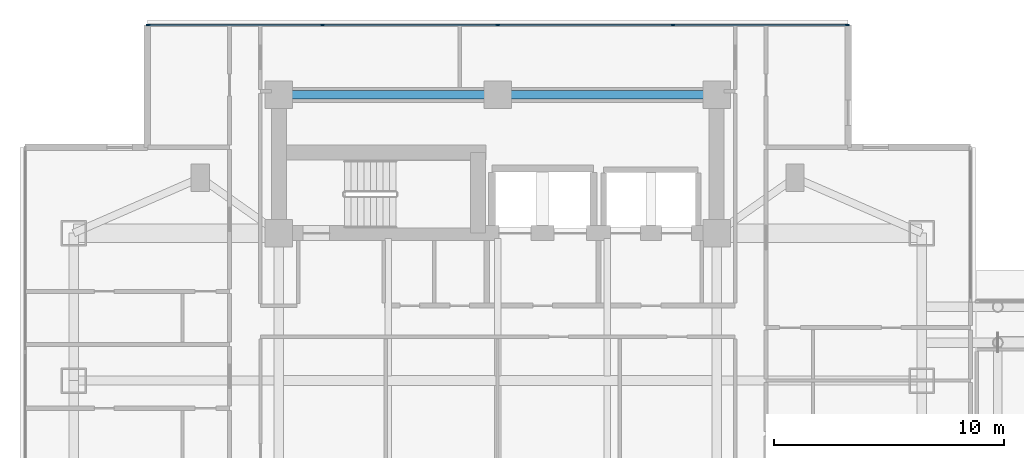
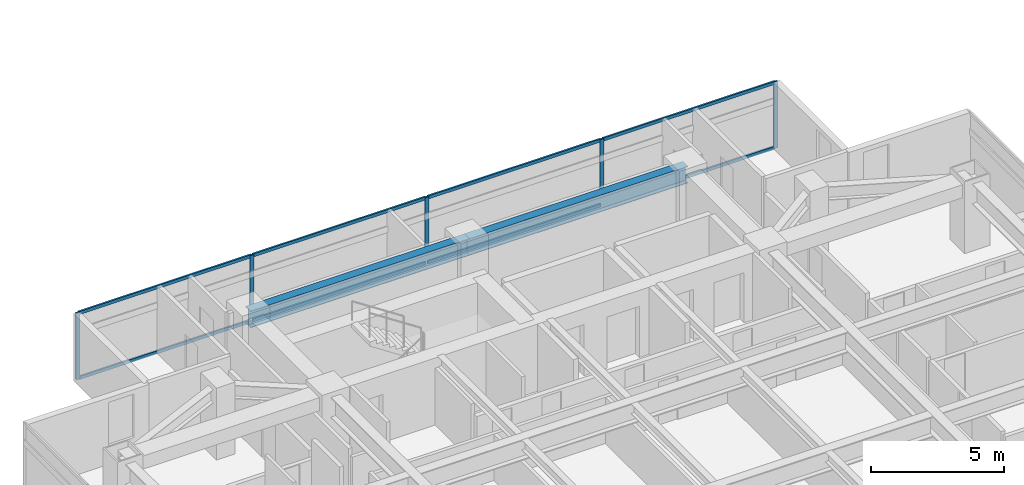
# One storey, part 7 of 28: 13 members, 2 beams, 1 element without a shape of its own.
"""IFC4 building model written with IfcOpenShell, lengths in metres."""

from ifc_helpers import new_model, si_unit, direction, frame, origin, origin_2d, place, context, subcontext, project, spatial, rectangle, i_section, extrude, material, material_profile, profile_set, type_object, element, aggregate, save


model = new_model("IFC4")

# Units and contexts
model_context = context("Model", 3, precision=1e-05, world=origin(), true_north=direction((0.0, 1.0)))
body_context = subcontext(model_context, "Body", "Model", "MODEL_VIEW")
ifc_project = project(units=[si_unit("LENGTHUNIT", "METRE"), si_unit("AREAUNIT", "SQUARE_METRE"), si_unit("VOLUMEUNIT", "CUBIC_METRE"), si_unit("PLANEANGLEUNIT", "RADIAN"), si_unit("MASSUNIT", "GRAM", prefix="KILO")], contexts=[model_context])

# Site, building, storey
site_placement = place(None, origin())
site = spatial("IfcSite", under=ifc_project, at=site_placement, CompositionType="ELEMENT")
building_placement = place(site_placement, origin())
building = spatial("IfcBuilding", under=site, at=building_placement, Name="Mirazonda Arch Towers", CompositionType="ELEMENT")
storey_placement = place(building_placement, frame((0.0, 0.0, 91.699951171875)))
storey = spatial("IfcBuildingStorey", under=building, at=storey_placement, Name="L25", CompositionType="ELEMENT", Elevation=91.699951171875)

# Beams
ifc_material_1 = material(Name="Steel ASTM A992 Grade 50", Category="steel")
ifc_material_profile_1 = material_profile(ifc_material_1, i_section(OverallWidth=0.381103515625, OverallDepth=0.77294921875, WebThickness=0.0166015625, FlangeThickness=0.027099609375, at=origin_2d()), Name="W30X173")
ifc_profile_set_1 = profile_set([ifc_material_profile_1], Name="Steel ASTM A992 Grade 50")
beam_type = type_object("IfcBeamType", Name="BM-INT-W30X173", PredefinedType="USERDEFINED", material=ifc_profile_set_1)
for number, where, z_axis, x_axis, name in (
    (1, (11.0, 43.60009765625, 2.693603515625), (1.0, 0.0, 0.0), (0.0, 1.0, 0.0), "L25 Floor Beam BM-T1-L25-CN1"),
    (2, (20.5, 43.60009765625, 2.693603515625), (1.0, 0.0, 0.0), (0.0, 1.0, 0.0), "L25 Floor Beam BM-T1-L25-CN2"),
):
    element("IfcBeam", number, at=place(storey_placement, frame(where, z_axis=z_axis, x_axis=x_axis)), inside=storey, type_object=beam_type, Name=name, ObjectType="GIRDER", PredefinedType="USERDEFINED", context=body_context, shape_type="SweptSolid", body=[
        extrude(i_section(OverallWidth=0.381103515625, OverallDepth=0.77294921875, WebThickness=0.0166015625, FlangeThickness=0.027099609375, at=origin_2d()), origin(), (0.0, 0.0, 1.0), 9.5),
    ])

# Curtain wall, members
ifc_material_2 = material(Name="Anodised Aluminium and Low-E Glass", Category="aluminium")
curtain_wall_type = type_object("IfcCurtainWallType", Name="CW-HTL-UNIT", PredefinedType="NOTDEFINED", material=ifc_material_2)
curtain_wall_placement = place(storey_placement, origin())
curtain_wall = element("IfcCurtainWall", 3, at=curtain_wall_placement, inside=storey, type_object=curtain_wall_type, Name="L25 T1 N Facade CW-L25-T1-N", PredefinedType="NOTDEFINED")
ifc_material_3 = material(Name="Anodised Aluminium Alloy", Category="aluminium")
ifc_material_profile_2 = material_profile(ifc_material_3, rectangle(XDim=0.074951171875, YDim=0.1650390625, at=origin_2d()), Name="ALU-MULL-75x165")
ifc_profile_set_2 = profile_set([ifc_material_profile_2], Name="Anodised Aluminium Alloy")
member_type_1 = type_object("IfcMemberType", Name="MULL-CW-HTL-UNIT", PredefinedType="MULLION", material=ifc_profile_set_2)
member_1_placement = place(storey_placement, frame((5.33251953125, 46.6279296875, 0.0), z_axis=(0.0, 0.0, 1.0), x_axis=(0.0, 1.0, 0.0)))
member_1 = element("IfcMember", 4, at=member_1_placement, type_object=member_type_1, Name="CW-112 mullion 1", PredefinedType="MULLION", context=body_context, shape_type="SweptSolid", body=[
    extrude(rectangle(XDim=0.074951171875, YDim=0.1650390625, at=origin_2d()), origin(), (0.0, 0.0, 1.0), 3.06005859375),
])
member_2_placement = place(storey_placement, frame((12.8974609375, 46.6279296875, 0.0), z_axis=(0.0, 0.0, 1.0), x_axis=(0.0, 1.0, 0.0)))
member_2 = element("IfcMember", 5, at=member_2_placement, type_object=member_type_1, Name="CW-112 mullion 2", PredefinedType="MULLION", context=body_context, shape_type="SweptSolid", body=[
    extrude(rectangle(XDim=0.074951171875, YDim=0.1650390625, at=origin_2d()), origin(), (0.0, 0.0, 1.0), 3.06005859375),
])
member_3_placement = place(storey_placement, frame((20.5, 46.6279296875, 0.0), z_axis=(0.0, 0.0, 1.0), x_axis=(0.0, 1.0, 0.0)))
member_3 = element("IfcMember", 6, at=member_3_placement, type_object=member_type_1, Name="CW-112 mullion 3", PredefinedType="MULLION", context=body_context, shape_type="SweptSolid", body=[
    extrude(rectangle(XDim=0.074951171875, YDim=0.1650390625, at=origin_2d()), origin(), (0.0, 0.0, 1.0), 3.06005859375),
])
member_4_placement = place(storey_placement, frame((28.1025390625, 46.6279296875, 0.0), z_axis=(0.0, 0.0, 1.0), x_axis=(0.0, 1.0, 0.0)))
member_4 = element("IfcMember", 7, at=member_4_placement, type_object=member_type_1, Name="CW-112 mullion 4", PredefinedType="MULLION", context=body_context, shape_type="SweptSolid", body=[
    extrude(rectangle(XDim=0.074951171875, YDim=0.1650390625, at=origin_2d()), origin(), (0.0, 0.0, 1.0), 3.06005859375),
])
member_5_placement = place(storey_placement, frame((35.66748046875, 46.6279296875, 0.0), z_axis=(0.0, 0.0, 1.0), x_axis=(0.0, 1.0, 0.0)))
member_5 = element("IfcMember", 8, at=member_5_placement, type_object=member_type_1, Name="CW-112 mullion 5", PredefinedType="MULLION", context=body_context, shape_type="SweptSolid", body=[
    extrude(rectangle(XDim=0.074951171875, YDim=0.1650390625, at=origin_2d()), origin(), (0.0, 0.0, 1.0), 3.06005859375),
])
ifc_material_profile_3 = material_profile(ifc_material_3, rectangle(XDim=0.074951171875, YDim=0.14501953125, at=origin_2d()), Name="ALU-TRAN-75x145")
ifc_profile_set_3 = profile_set([ifc_material_profile_3], Name="Anodised Aluminium Alloy")
member_type_2 = type_object("IfcMemberType", Name="TRAN-CW-HTL-UNIT", PredefinedType="USERDEFINED", material=ifc_profile_set_3)
member_6_placement = place(storey_placement, frame((5.3701171875, 46.6279296875, 0.03759765625), z_axis=(1.0, 0.0, 0.0), x_axis=(0.0, 1.0, 0.0)))
member_6 = element("IfcMember", 9, at=member_6_placement, type_object=member_type_2, Name="CW-112 transom 1.1", ObjectType="TRANSOM", PredefinedType="USERDEFINED", context=body_context, shape_type="SweptSolid", body=[
    extrude(rectangle(XDim=0.074951171875, YDim=0.14501953125, at=origin_2d()), origin(), (0.0, 0.0, 1.0), 7.489990234375),
])
member_7_placement = place(storey_placement, frame((5.3701171875, 46.6279296875, 3.0224609375), z_axis=(1.0, 0.0, 0.0), x_axis=(0.0, 1.0, 0.0)))
member_7 = element("IfcMember", 10, at=member_7_placement, type_object=member_type_2, Name="CW-112 transom 1.2", ObjectType="TRANSOM", PredefinedType="USERDEFINED", context=body_context, shape_type="SweptSolid", body=[
    extrude(rectangle(XDim=0.074951171875, YDim=0.14501953125, at=origin_2d()), origin(), (0.0, 0.0, 1.0), 7.489990234375),
])
member_8_placement = place(storey_placement, frame((12.93505859375, 46.6279296875, 0.03759765625), z_axis=(1.0, 0.0, 0.0), x_axis=(0.0, 1.0, 0.0)))
member_8 = element("IfcMember", 11, at=member_8_placement, type_object=member_type_2, Name="CW-112 transom 2.1", ObjectType="TRANSOM", PredefinedType="USERDEFINED", context=body_context, shape_type="SweptSolid", body=[
    extrude(rectangle(XDim=0.074951171875, YDim=0.14501953125, at=origin_2d()), origin(), (0.0, 0.0, 1.0), 7.52734375),
])
member_9_placement = place(storey_placement, frame((12.93505859375, 46.6279296875, 3.0224609375), z_axis=(1.0, 0.0, 0.0), x_axis=(0.0, 1.0, 0.0)))
member_9 = element("IfcMember", 12, at=member_9_placement, type_object=member_type_2, Name="CW-112 transom 2.2", ObjectType="TRANSOM", PredefinedType="USERDEFINED", context=body_context, shape_type="SweptSolid", body=[
    extrude(rectangle(XDim=0.074951171875, YDim=0.14501953125, at=origin_2d()), origin(), (0.0, 0.0, 1.0), 7.52734375),
])
member_10_placement = place(storey_placement, frame((20.53759765625, 46.6279296875, 0.03759765625), z_axis=(1.0, 0.0, 0.0), x_axis=(0.0, 1.0, 0.0)))
member_10 = element("IfcMember", 13, at=member_10_placement, type_object=member_type_2, Name="CW-112 transom 3.1", ObjectType="TRANSOM", PredefinedType="USERDEFINED", context=body_context, shape_type="SweptSolid", body=[
    extrude(rectangle(XDim=0.074951171875, YDim=0.14501953125, at=origin_2d()), origin(), (0.0, 0.0, 1.0), 7.52734375),
])
member_11_placement = place(storey_placement, frame((20.53759765625, 46.6279296875, 3.0224609375), z_axis=(1.0, 0.0, 0.0), x_axis=(0.0, 1.0, 0.0)))
member_11 = element("IfcMember", 14, at=member_11_placement, type_object=member_type_2, Name="CW-112 transom 3.2", ObjectType="TRANSOM", PredefinedType="USERDEFINED", context=body_context, shape_type="SweptSolid", body=[
    extrude(rectangle(XDim=0.074951171875, YDim=0.14501953125, at=origin_2d()), origin(), (0.0, 0.0, 1.0), 7.52734375),
])
member_12_placement = place(storey_placement, frame((28.139892578125, 46.6279296875, 0.03759765625), z_axis=(1.0, 0.0, 0.0), x_axis=(0.0, 1.0, 0.0)))
member_12 = element("IfcMember", 15, at=member_12_placement, type_object=member_type_2, Name="CW-112 transom 4.1", ObjectType="TRANSOM", PredefinedType="USERDEFINED", context=body_context, shape_type="SweptSolid", body=[
    extrude(rectangle(XDim=0.074951171875, YDim=0.14501953125, at=origin_2d()), origin(), (0.0, 0.0, 1.0), 7.489990234375),
])
member_13_placement = place(storey_placement, frame((28.139892578125, 46.6279296875, 3.0224609375), z_axis=(1.0, 0.0, 0.0), x_axis=(0.0, 1.0, 0.0)))
member_13 = element("IfcMember", 16, at=member_13_placement, type_object=member_type_2, Name="CW-112 transom 4.2", ObjectType="TRANSOM", PredefinedType="USERDEFINED", context=body_context, shape_type="SweptSolid", body=[
    extrude(rectangle(XDim=0.074951171875, YDim=0.14501953125, at=origin_2d()), origin(), (0.0, 0.0, 1.0), 7.489990234375),
])
aggregate(curtain_wall, [member_1, member_2, member_3, member_4, member_5, member_6, member_7, member_8, member_9, member_10, member_11, member_12, member_13])

save(model, "model.ifc")
